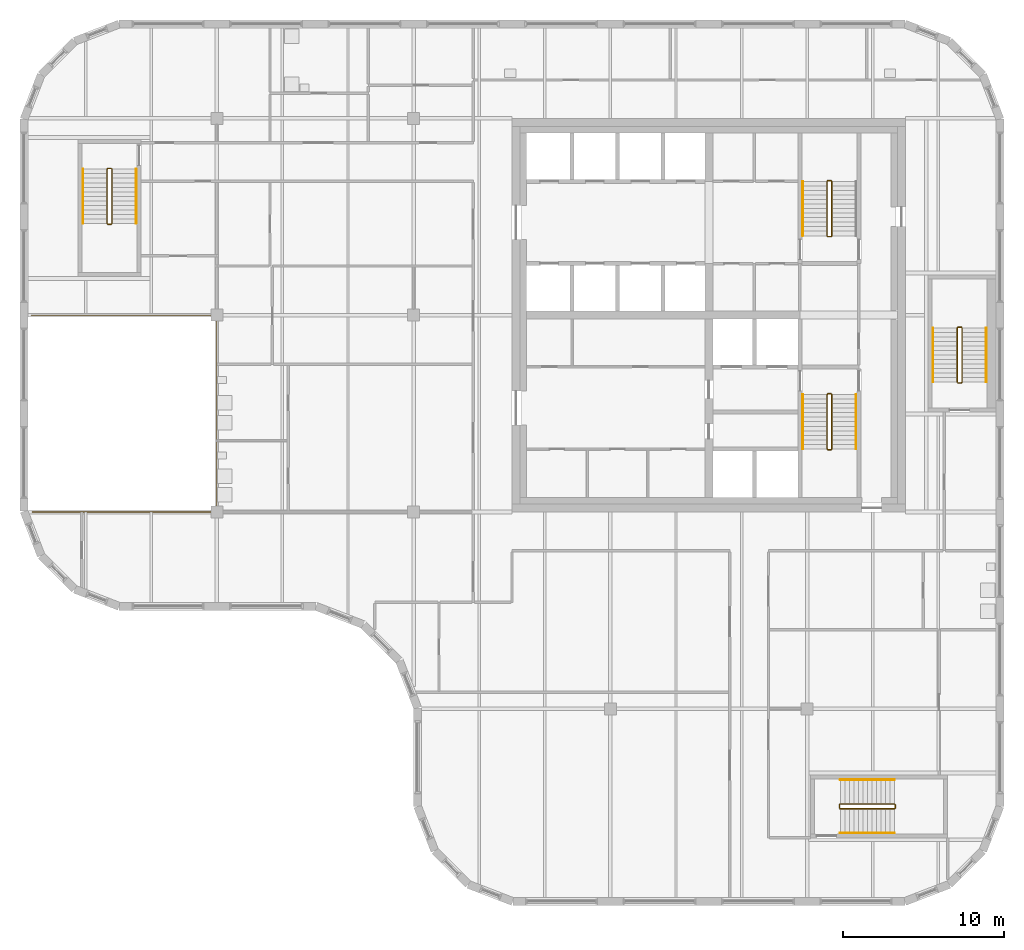
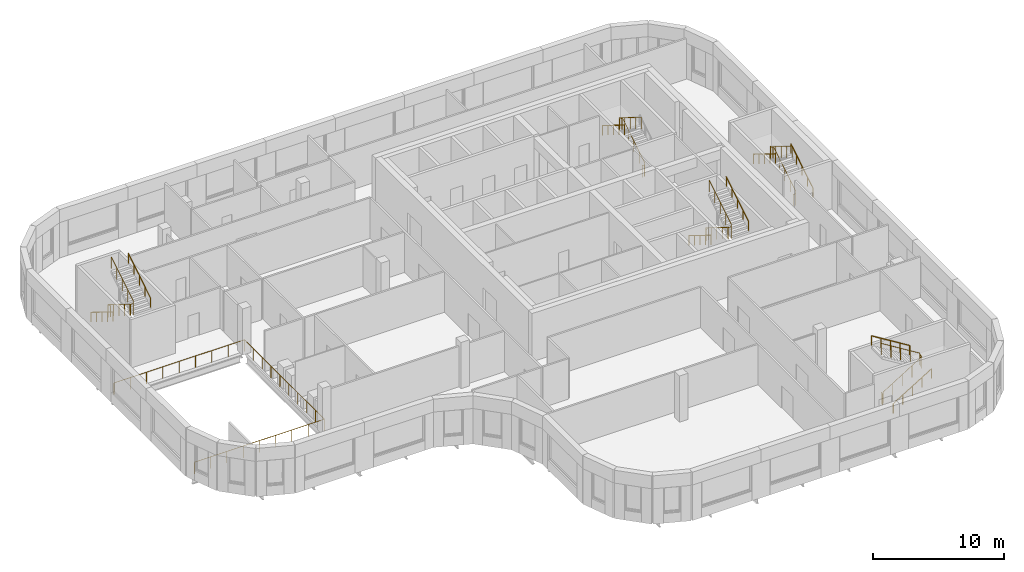
# One storey, part 19 of 21: 15 railings.
"""IFC4 building model written with IfcOpenShell, lengths in metres."""

from ifc_helpers import new_model, si_unit, direction, frame, origin, origin_2d, place, context, subcontext, project, spatial, circle, extrude, material, type_object, element, save


model = new_model("IFC4")

# Units and contexts
model_context = context("Model", 3, precision=1e-05, world=origin(), true_north=direction((0.0, 1.0)))
body_context = subcontext(model_context, "Body", "Model", "MODEL_VIEW")
ifc_project = project(units=[si_unit("LENGTHUNIT", "METRE"), si_unit("AREAUNIT", "SQUARE_METRE"), si_unit("VOLUMEUNIT", "CUBIC_METRE"), si_unit("PLANEANGLEUNIT", "RADIAN"), si_unit("MASSUNIT", "GRAM", prefix="KILO")], contexts=[model_context])

# Site, building, storey
site_placement = place(None, origin())
site = spatial("IfcSite", under=ifc_project, at=site_placement, CompositionType="ELEMENT")
building_placement = place(site_placement, origin())
building = spatial("IfcBuilding", under=site, at=building_placement, Name="Tessera Gate Towers", CompositionType="ELEMENT")
storey_placement = place(building_placement, frame((0.0, 0.0, 193.39990234375)))
storey = spatial("IfcBuildingStorey", under=building, at=storey_placement, Name="L48", CompositionType="ELEMENT", Elevation=193.39990234375)

# Railings
ifc_material_1 = material(Name="Toughened glass with stainless steel handrail", Category="steel")
railing_type_1 = type_object("IfcRailingType", Name="GUARD 1100 GLASS BALUSTRADE", PredefinedType="GUARDRAIL", material=ifc_material_1)
railing_1_placement = place(storey_placement, frame((0.750244140625, 24.39990234375, 0.0)))
element("IfcRailing", 1, at=railing_1_placement, inside=storey, type_object=railing_type_1, Name="Guard", PredefinedType="GUARDRAIL", context=body_context, shape_type="SweptSolid", body=[
    extrude(circle(Radius=0.02490234375, at=origin_2d()), frame((0.0, 0.0, 1.0751953125), z_axis=(1.0, 0.0, 0.0), x_axis=(0.0, 1.0, 0.0)), (0.0, 0.0, 1.0), 11.44970703125),
    extrude(circle(Radius=0.02490234375, at=origin_2d()), frame((11.44970703125, 0.0, 1.0751953125), z_axis=(0.0, 1.0, 0.0), x_axis=(-1.0, 0.0, 0.0)), (0.0, 0.0, 1.0), 12.2001953125),
    extrude(circle(Radius=0.02490234375, at=origin_2d()), frame((11.44970703125, 12.2001953125, 1.0751953125), z_axis=(-1.0, 0.0, 0.0), x_axis=(0.0, -1.0, 0.0)), (0.0, 0.0, 1.0), 11.5),
    extrude(circle(Radius=0.02490234375, at=origin_2d()), origin(), (0.0, 0.0, 1.0), 1.050048828125),
    extrude(circle(Radius=0.02490234375, at=origin_2d()), frame((1.43115234375, 0.0, 0.0)), (0.0, 0.0, 1.0), 1.050048828125),
    extrude(circle(Radius=0.02490234375, at=origin_2d()), frame((2.8623046875, 0.0, 0.0)), (0.0, 0.0, 1.0), 1.050048828125),
    extrude(circle(Radius=0.02490234375, at=origin_2d()), frame((4.293701171875, 0.0, 0.0)), (0.0, 0.0, 1.0), 1.050048828125),
    extrude(circle(Radius=0.02490234375, at=origin_2d()), frame((5.724853515625, 0.0, 0.0)), (0.0, 0.0, 1.0), 1.050048828125),
    extrude(circle(Radius=0.02490234375, at=origin_2d()), frame((7.156005859375, 0.0, 0.0)), (0.0, 0.0, 1.0), 1.050048828125),
    extrude(circle(Radius=0.02490234375, at=origin_2d()), frame((8.58740234375, 0.0, 0.0)), (0.0, 0.0, 1.0), 1.050048828125),
    extrude(circle(Radius=0.02490234375, at=origin_2d()), frame((10.0185546875, 0.0, 0.0)), (0.0, 0.0, 1.0), 1.050048828125),
    extrude(circle(Radius=0.02490234375, at=origin_2d()), frame((11.44970703125, 0.0, 0.0)), (0.0, 0.0, 1.0), 1.050048828125),
    extrude(circle(Radius=0.02490234375, at=origin_2d()), frame((11.44970703125, 1.35546875, 0.0)), (0.0, 0.0, 1.0), 1.050048828125),
    extrude(circle(Radius=0.02490234375, at=origin_2d()), frame((11.44970703125, 2.711181640625, 0.0)), (0.0, 0.0, 1.0), 1.050048828125),
    extrude(circle(Radius=0.02490234375, at=origin_2d()), frame((11.44970703125, 4.066650390625, 0.0)), (0.0, 0.0, 1.0), 1.050048828125),
    extrude(circle(Radius=0.02490234375, at=origin_2d()), frame((11.44970703125, 5.42236328125, 0.0)), (0.0, 0.0, 1.0), 1.050048828125),
    extrude(circle(Radius=0.02490234375, at=origin_2d()), frame((11.44970703125, 6.77783203125, 0.0)), (0.0, 0.0, 1.0), 1.050048828125),
    extrude(circle(Radius=0.02490234375, at=origin_2d()), frame((11.44970703125, 8.133544921875, 0.0)), (0.0, 0.0, 1.0), 1.050048828125),
    extrude(circle(Radius=0.02490234375, at=origin_2d()), frame((11.44970703125, 9.489013671875, 0.0)), (0.0, 0.0, 1.0), 1.050048828125),
    extrude(circle(Radius=0.02490234375, at=origin_2d()), frame((11.44970703125, 10.8447265625, 0.0)), (0.0, 0.0, 1.0), 1.050048828125),
    extrude(circle(Radius=0.02490234375, at=origin_2d()), frame((11.44970703125, 12.2001953125, 0.0)), (0.0, 0.0, 1.0), 1.050048828125),
    extrude(circle(Radius=0.02490234375, at=origin_2d()), frame((10.01220703125, 12.2001953125, 0.0)), (0.0, 0.0, 1.0), 1.050048828125),
    extrude(circle(Radius=0.02490234375, at=origin_2d()), frame((8.57470703125, 12.2001953125, 0.0)), (0.0, 0.0, 1.0), 1.050048828125),
    extrude(circle(Radius=0.02490234375, at=origin_2d()), frame((7.13720703125, 12.2001953125, 0.0)), (0.0, 0.0, 1.0), 1.050048828125),
    extrude(circle(Radius=0.02490234375, at=origin_2d()), frame((5.69970703125, 12.2001953125, 0.0)), (0.0, 0.0, 1.0), 1.050048828125),
    extrude(circle(Radius=0.02490234375, at=origin_2d()), frame((4.26220703125, 12.2001953125, 0.0)), (0.0, 0.0, 1.0), 1.050048828125),
    extrude(circle(Radius=0.02490234375, at=origin_2d()), frame((2.82470703125, 12.2001953125, 0.0)), (0.0, 0.0, 1.0), 1.050048828125),
    extrude(circle(Radius=0.02490234375, at=origin_2d()), frame((1.38720703125, 12.2001953125, 0.0)), (0.0, 0.0, 1.0), 1.050048828125),
    extrude(circle(Radius=0.02490234375, at=origin_2d()), frame((-0.05029296875, 12.2001953125, 0.0)), (0.0, 0.0, 1.0), 1.050048828125),
])
ifc_material_2 = material(Name="Steel 350W", Category="steel")
railing_type_2 = type_object("IfcRailingType", Name="STAIR GUARD 1100", PredefinedType="GUARDRAIL", material=ifc_material_2)
railing_2_placement = place(storey_placement, frame((50.27490234375, 31.72509765625, 0.0)))
element("IfcRailing", 2, at=railing_2_placement, inside=storey, type_object=railing_type_2, Name="L48 ST1 stair guard 1", PredefinedType="GUARDRAIL", context=body_context, shape_type="SweptSolid", body=[
    extrude(circle(Radius=0.02392578125, at=origin_2d()), frame((0.0, 0.0, 1.076171875), z_axis=(-1.0, 0.0, 0.0), x_axis=(0.0, -1.0, 0.0)), (0.0, 0.0, 1.0), 0.199951171875),
    extrude(circle(Radius=0.02392578125, at=origin_2d()), frame((-0.199951171875, 0.0, 1.076171875), z_axis=(-0.267629722418, -0.267629722418, 0.925607186314), x_axis=(0.707106781187, -0.707106781187, 0.0)), (0.0, 0.0, 1.0), 0.18701171875),
    extrude(circle(Radius=0.02392578125, at=origin_2d()), frame((-0.25, -0.050048828125, 1.2490234375), z_axis=(0.0, -0.850623216509, 0.525775754039), x_axis=(1.0, 0.0, 0.0)), (0.0, 0.0, 1.0), 3.9501953125),
    extrude(circle(Radius=0.02392578125, at=origin_2d()), frame((-0.25, -3.41015625, 3.326171875), z_axis=(0.707106781187, -0.707106781187, 0.0), x_axis=(0.707106781187, 0.707106781187, 0.0)), (0.0, 0.0, 1.0), 0.07080078125),
    extrude(circle(Radius=0.02392578125, at=origin_2d()), frame((-0.199951171875, -3.460205078125, 3.326171875), z_axis=(1.0, 0.0, 0.0), x_axis=(0.0, 1.0, 0.0)), (0.0, 0.0, 1.0), 0.199951171875),
    extrude(circle(Radius=0.02392578125, at=origin_2d()), frame((0.0, -3.460205078125, 3.326171875), z_axis=(0.267629722418, 0.267629722418, 0.925607186314), x_axis=(-0.707106781187, 0.707106781187, 0.0)), (0.0, 0.0, 1.0), 0.18701171875),
    extrude(circle(Radius=0.02392578125, at=origin_2d()), frame((0.050048828125, -3.41015625, 3.4990234375), z_axis=(0.0, 0.850623216509, 0.525775754039), x_axis=(-1.0, 0.0, 0.0)), (0.0, 0.0, 1.0), 3.9501953125),
    extrude(circle(Radius=0.02099609375, at=origin_2d()), origin(), (0.0, 0.0, 1.0), 1.052001953125),
    extrude(circle(Radius=0.02099609375, at=origin_2d()), frame((-0.199951171875, 0.0, 0.0)), (0.0, 0.0, 1.0), 1.052001953125),
    extrude(circle(Radius=0.02099609375, at=origin_2d()), frame((-0.25, -0.050048828125, 0.173095703125)), (0.0, 0.0, 1.0), 1.052001953125),
    extrude(circle(Radius=0.02099609375, at=origin_2d()), frame((-0.25, -0.89013671875, 0.6923828125)), (0.0, 0.0, 1.0), 1.052001953125),
    extrude(circle(Radius=0.02099609375, at=origin_2d()), frame((-0.25, -1.72998046875, 1.21142578125)), (0.0, 0.0, 1.0), 1.052001953125),
    extrude(circle(Radius=0.02099609375, at=origin_2d()), frame((-0.25, -2.570068359375, 1.730712890625)), (0.0, 0.0, 1.0), 1.052001953125),
    extrude(circle(Radius=0.02099609375, at=origin_2d()), frame((-0.25, -3.41015625, 2.25)), (0.0, 0.0, 1.0), 1.052001953125),
    extrude(circle(Radius=0.02099609375, at=origin_2d()), frame((-0.199951171875, -3.460205078125, 2.25)), (0.0, 0.0, 1.0), 1.052001953125),
    extrude(circle(Radius=0.02099609375, at=origin_2d()), frame((0.0, -3.460205078125, 2.25)), (0.0, 0.0, 1.0), 1.052001953125),
    extrude(circle(Radius=0.02099609375, at=origin_2d()), frame((0.050048828125, -3.41015625, 2.423095703125)), (0.0, 0.0, 1.0), 1.052001953125),
    extrude(circle(Radius=0.02099609375, at=origin_2d()), frame((0.050048828125, -2.570068359375, 2.9423828125)), (0.0, 0.0, 1.0), 1.052001953125),
    extrude(circle(Radius=0.02099609375, at=origin_2d()), frame((0.050048828125, -1.72998046875, 3.46142578125)), (0.0, 0.0, 1.0), 1.052001953125),
    extrude(circle(Radius=0.02099609375, at=origin_2d()), frame((0.050048828125, -0.89013671875, 3.980712890625)), (0.0, 0.0, 1.0), 1.052001953125),
    extrude(circle(Radius=0.02099609375, at=origin_2d()), frame((0.050048828125, -0.050048828125, 4.5)), (0.0, 0.0, 1.0), 1.052001953125),
])
railing_3_placement = place(storey_placement, frame((50.074951171875, 41.47509765625, 0.0)))
element("IfcRailing", 3, at=railing_3_placement, inside=storey, type_object=railing_type_2, Name="L48 ST2 stair guard 1", PredefinedType="GUARDRAIL", context=body_context, shape_type="SweptSolid", body=[
    extrude(circle(Radius=0.02392578125, at=origin_2d()), frame((0.0, 0.0, 1.076171875), z_axis=(1.0, 0.0, 0.0), x_axis=(0.0, 1.0, 0.0)), (0.0, 0.0, 1.0), 0.199951171875),
    extrude(circle(Radius=0.02392578125, at=origin_2d()), frame((0.199951171875, 0.0, 1.076171875), z_axis=(0.267723051232, 0.266417085129, 0.925929967433), x_axis=(-0.705375805398, 0.708833529934, 0.0)), (0.0, 0.0, 1.0), 0.18701171875),
    extrude(circle(Radius=0.02392578125, at=origin_2d()), frame((0.25, 0.0498046875, 1.2490234375), z_axis=(0.0, 0.850623216509, 0.525775754039), x_axis=(-1.0, 0.0, 0.0)), (0.0, 0.0, 1.0), 3.9501953125),
    extrude(circle(Radius=0.02392578125, at=origin_2d()), frame((0.25, 3.409912109375, 3.326171875), z_axis=(-0.707106781187, 0.707106781187, 0.0), x_axis=(-0.707106781187, -0.707106781187, 0.0)), (0.0, 0.0, 1.0), 0.07080078125),
    extrude(circle(Radius=0.02392578125, at=origin_2d()), frame((0.199951171875, 3.4599609375, 3.326171875), z_axis=(-1.0, 0.0, 0.0), x_axis=(0.0, -1.0, 0.0)), (0.0, 0.0, 1.0), 0.199951171875),
    extrude(circle(Radius=0.02392578125, at=origin_2d()), frame((0.0, 3.4599609375, 3.326171875), z_axis=(-0.267629722418, -0.267629722418, 0.925607186314), x_axis=(0.707106781187, -0.707106781187, 0.0)), (0.0, 0.0, 1.0), 0.18701171875),
    extrude(circle(Radius=0.02392578125, at=origin_2d()), frame((-0.050048828125, 3.409912109375, 3.4990234375), z_axis=(0.0, -0.850623216509, 0.525775754039), x_axis=(1.0, 0.0, 0.0)), (0.0, 0.0, 1.0), 3.9501953125),
    extrude(circle(Radius=0.02099609375, at=origin_2d()), origin(), (0.0, 0.0, 1.0), 1.052001953125),
    extrude(circle(Radius=0.02099609375, at=origin_2d()), frame((0.199951171875, 0.0, 0.0)), (0.0, 0.0, 1.0), 1.052001953125),
    extrude(circle(Radius=0.02099609375, at=origin_2d()), frame((0.25, 0.0498046875, 0.173095703125)), (0.0, 0.0, 1.0), 1.052001953125),
    extrude(circle(Radius=0.02099609375, at=origin_2d()), frame((0.25, 0.889892578125, 0.6923828125)), (0.0, 0.0, 1.0), 1.052001953125),
    extrude(circle(Radius=0.02099609375, at=origin_2d()), frame((0.25, 1.72998046875, 1.21142578125)), (0.0, 0.0, 1.0), 1.052001953125),
    extrude(circle(Radius=0.02099609375, at=origin_2d()), frame((0.25, 2.56982421875, 1.730712890625)), (0.0, 0.0, 1.0), 1.052001953125),
    extrude(circle(Radius=0.02099609375, at=origin_2d()), frame((0.25, 3.409912109375, 2.25)), (0.0, 0.0, 1.0), 1.052001953125),
    extrude(circle(Radius=0.02099609375, at=origin_2d()), frame((0.199951171875, 3.4599609375, 2.25)), (0.0, 0.0, 1.0), 1.052001953125),
    extrude(circle(Radius=0.02099609375, at=origin_2d()), frame((0.0, 3.4599609375, 2.25)), (0.0, 0.0, 1.0), 1.052001953125),
    extrude(circle(Radius=0.02099609375, at=origin_2d()), frame((-0.050048828125, 3.409912109375, 2.423095703125)), (0.0, 0.0, 1.0), 1.052001953125),
    extrude(circle(Radius=0.02099609375, at=origin_2d()), frame((-0.050048828125, 2.56982421875, 2.9423828125)), (0.0, 0.0, 1.0), 1.052001953125),
    extrude(circle(Radius=0.02099609375, at=origin_2d()), frame((-0.050048828125, 1.72998046875, 3.46142578125)), (0.0, 0.0, 1.0), 1.052001953125),
    extrude(circle(Radius=0.02099609375, at=origin_2d()), frame((-0.050048828125, 0.889892578125, 3.980712890625)), (0.0, 0.0, 1.0), 1.052001953125),
    extrude(circle(Radius=0.02099609375, at=origin_2d()), frame((-0.050048828125, 0.0498046875, 4.5)), (0.0, 0.0, 1.0), 1.052001953125),
])
railing_4_placement = place(storey_placement, frame((5.64990234375, 45.699951171875, 0.0)))
element("IfcRailing", 4, at=railing_4_placement, inside=storey, type_object=railing_type_2, Name="L48 ST3 stair guard 1", PredefinedType="GUARDRAIL", context=body_context, shape_type="SweptSolid", body=[
    extrude(circle(Radius=0.02392578125, at=origin_2d()), frame((0.0, 0.0, 1.076171875), z_axis=(-1.0, 0.0, 0.0), x_axis=(0.0, -1.0, 0.0)), (0.0, 0.0, 1.0), 0.199951171875),
    extrude(circle(Radius=0.02392578125, at=origin_2d()), frame((-0.199951171875, 0.0, 1.076171875), z_axis=(-0.267629722418, -0.267629722418, 0.925607186314), x_axis=(0.707106781187, -0.707106781187, 0.0)), (0.0, 0.0, 1.0), 0.18701171875),
    extrude(circle(Radius=0.02392578125, at=origin_2d()), frame((-0.25, -0.050048828125, 1.2490234375), z_axis=(0.0, -0.850606129759, 0.525803396734), x_axis=(1.0, 0.0, 0.0)), (0.0, 0.0, 1.0), 3.949951171875),
    extrude(circle(Radius=0.02392578125, at=origin_2d()), frame((-0.25, -3.409912109375, 3.326171875), z_axis=(0.707106781187, -0.707106781187, 0.0), x_axis=(0.707106781187, 0.707106781187, 0.0)), (0.0, 0.0, 1.0), 0.07080078125),
    extrude(circle(Radius=0.02392578125, at=origin_2d()), frame((-0.199951171875, -3.4599609375, 3.326171875), z_axis=(1.0, 0.0, 0.0), x_axis=(0.0, 1.0, 0.0)), (0.0, 0.0, 1.0), 0.199951171875),
    extrude(circle(Radius=0.02392578125, at=origin_2d()), frame((0.0, -3.4599609375, 3.326171875), z_axis=(0.267629722418, 0.267629722418, 0.925607186314), x_axis=(-0.707106781187, 0.707106781187, 0.0)), (0.0, 0.0, 1.0), 0.18701171875),
    extrude(circle(Radius=0.02392578125, at=origin_2d()), frame((0.050048828125, -3.409912109375, 3.4990234375), z_axis=(0.0, 0.850606129759, 0.525803396734), x_axis=(-1.0, 0.0, 0.0)), (0.0, 0.0, 1.0), 3.949951171875),
    extrude(circle(Radius=0.02099609375, at=origin_2d()), origin(), (0.0, 0.0, 1.0), 1.052001953125),
    extrude(circle(Radius=0.02099609375, at=origin_2d()), frame((-0.199951171875, 0.0, 0.0)), (0.0, 0.0, 1.0), 1.052001953125),
    extrude(circle(Radius=0.02099609375, at=origin_2d()), frame((-0.25, -0.050048828125, 0.173095703125)), (0.0, 0.0, 1.0), 1.052001953125),
    extrude(circle(Radius=0.02099609375, at=origin_2d()), frame((-0.25, -0.89013671875, 0.6923828125)), (0.0, 0.0, 1.0), 1.052001953125),
    extrude(circle(Radius=0.02099609375, at=origin_2d()), frame((-0.25, -1.72998046875, 1.21142578125)), (0.0, 0.0, 1.0), 1.052001953125),
    extrude(circle(Radius=0.02099609375, at=origin_2d()), frame((-0.25, -2.56982421875, 1.730712890625)), (0.0, 0.0, 1.0), 1.052001953125),
    extrude(circle(Radius=0.02099609375, at=origin_2d()), frame((-0.25, -3.409912109375, 2.25)), (0.0, 0.0, 1.0), 1.052001953125),
    extrude(circle(Radius=0.02099609375, at=origin_2d()), frame((-0.199951171875, -3.4599609375, 2.25)), (0.0, 0.0, 1.0), 1.052001953125),
    extrude(circle(Radius=0.02099609375, at=origin_2d()), frame((0.0, -3.4599609375, 2.25)), (0.0, 0.0, 1.0), 1.052001953125),
    extrude(circle(Radius=0.02099609375, at=origin_2d()), frame((0.050048828125, -3.409912109375, 2.423095703125)), (0.0, 0.0, 1.0), 1.052001953125),
    extrude(circle(Radius=0.02099609375, at=origin_2d()), frame((0.050048828125, -2.56982421875, 2.9423828125)), (0.0, 0.0, 1.0), 1.052001953125),
    extrude(circle(Radius=0.02099609375, at=origin_2d()), frame((0.050048828125, -1.72998046875, 3.46142578125)), (0.0, 0.0, 1.0), 1.052001953125),
    extrude(circle(Radius=0.02099609375, at=origin_2d()), frame((0.050048828125, -0.89013671875, 3.980712890625)), (0.0, 0.0, 1.0), 1.052001953125),
    extrude(circle(Radius=0.02099609375, at=origin_2d()), frame((0.050048828125, -0.050048828125, 4.5)), (0.0, 0.0, 1.0), 1.052001953125),
])
railing_5_placement = place(storey_placement, frame((50.800048828125, 6.25, 0.0)))
element("IfcRailing", 5, at=railing_5_placement, inside=storey, type_object=railing_type_2, Name="L48 ST4 stair guard 1", PredefinedType="GUARDRAIL", context=body_context, shape_type="SweptSolid", body=[
    extrude(circle(Radius=0.02392578125, at=origin_2d()), frame((0.0, 0.0, 1.076171875), z_axis=(0.0, -1.0, 0.0), x_axis=(1.0, 0.0, 0.0)), (0.0, 0.0, 1.0), 0.199951171875),
    extrude(circle(Radius=0.02392578125, at=origin_2d()), frame((0.0, -0.199951171875, 1.076171875), z_axis=(0.267629722418, -0.267629722418, 0.925607186314), x_axis=(0.707106781187, 0.707106781187, 0.0)), (0.0, 0.0, 1.0), 0.18701171875),
    extrude(circle(Radius=0.02392578125, at=origin_2d()), frame((0.050048828125, -0.25, 1.2490234375), z_axis=(0.850606129759, 0.0, 0.525803396734), x_axis=(0.0, 1.0, 0.0)), (0.0, 0.0, 1.0), 3.949951171875),
    extrude(circle(Radius=0.02392578125, at=origin_2d()), frame((3.409912109375, -0.25, 3.326171875), z_axis=(0.707106781187, 0.707106781187, 0.0), x_axis=(-0.707106781187, 0.707106781187, 0.0)), (0.0, 0.0, 1.0), 0.07080078125),
    extrude(circle(Radius=0.02392578125, at=origin_2d()), frame((3.4599609375, -0.199951171875, 3.326171875), z_axis=(0.0, 1.0, 0.0), x_axis=(-1.0, 0.0, 0.0)), (0.0, 0.0, 1.0), 0.199951171875),
    extrude(circle(Radius=0.02392578125, at=origin_2d()), frame((3.4599609375, 0.0, 3.326171875), z_axis=(-0.267629722418, 0.267629722418, 0.925607186314), x_axis=(-0.707106781187, -0.707106781187, 0.0)), (0.0, 0.0, 1.0), 0.18701171875),
    extrude(circle(Radius=0.02392578125, at=origin_2d()), frame((3.409912109375, 0.050048828125, 3.4990234375), z_axis=(-0.850606129759, 0.0, 0.525803396734), x_axis=(0.0, -1.0, 0.0)), (0.0, 0.0, 1.0), 3.949951171875),
    extrude(circle(Radius=0.02099609375, at=origin_2d()), origin(), (0.0, 0.0, 1.0), 1.052001953125),
    extrude(circle(Radius=0.02099609375, at=origin_2d()), frame((0.0, -0.199951171875, 0.0)), (0.0, 0.0, 1.0), 1.052001953125),
    extrude(circle(Radius=0.02099609375, at=origin_2d()), frame((0.050048828125, -0.25, 0.173095703125)), (0.0, 0.0, 1.0), 1.052001953125),
    extrude(circle(Radius=0.02099609375, at=origin_2d()), frame((0.89013671875, -0.25, 0.6923828125)), (0.0, 0.0, 1.0), 1.052001953125),
    extrude(circle(Radius=0.02099609375, at=origin_2d()), frame((1.72998046875, -0.25, 1.21142578125)), (0.0, 0.0, 1.0), 1.052001953125),
    extrude(circle(Radius=0.02099609375, at=origin_2d()), frame((2.56982421875, -0.25, 1.730712890625)), (0.0, 0.0, 1.0), 1.052001953125),
    extrude(circle(Radius=0.02099609375, at=origin_2d()), frame((3.409912109375, -0.25, 2.25)), (0.0, 0.0, 1.0), 1.052001953125),
    extrude(circle(Radius=0.02099609375, at=origin_2d()), frame((3.4599609375, -0.199951171875, 2.25)), (0.0, 0.0, 1.0), 1.052001953125),
    extrude(circle(Radius=0.02099609375, at=origin_2d()), frame((3.4599609375, 0.0, 2.25)), (0.0, 0.0, 1.0), 1.052001953125),
    extrude(circle(Radius=0.02099609375, at=origin_2d()), frame((3.409912109375, 0.050048828125, 2.423095703125)), (0.0, 0.0, 1.0), 1.052001953125),
    extrude(circle(Radius=0.02099609375, at=origin_2d()), frame((2.56982421875, 0.050048828125, 2.9423828125)), (0.0, 0.0, 1.0), 1.052001953125),
    extrude(circle(Radius=0.02099609375, at=origin_2d()), frame((1.72998046875, 0.050048828125, 3.46142578125)), (0.0, 0.0, 1.0), 1.052001953125),
    extrude(circle(Radius=0.02099609375, at=origin_2d()), frame((0.89013671875, 0.050048828125, 3.980712890625)), (0.0, 0.0, 1.0), 1.052001953125),
    extrude(circle(Radius=0.02099609375, at=origin_2d()), frame((0.050048828125, 0.050048828125, 4.5)), (0.0, 0.0, 1.0), 1.052001953125),
])
railing_6_placement = place(storey_placement, frame((58.14990234375, 32.39990234375, 0.0)))
element("IfcRailing", 6, at=railing_6_placement, inside=storey, type_object=railing_type_2, Name="L48 ST5 stair guard 1", PredefinedType="GUARDRAIL", context=body_context, shape_type="SweptSolid", body=[
    extrude(circle(Radius=0.02392578125, at=origin_2d()), frame((0.0, 0.0, 1.076171875), z_axis=(1.0, 0.0, 0.0), x_axis=(0.0, 1.0, 0.0)), (0.0, 0.0, 1.0), 0.2001953125),
    extrude(circle(Radius=0.02392578125, at=origin_2d()), frame((0.2001953125, 0.0, 1.076171875), z_axis=(0.266417085129, 0.267723051232, 0.925929967433), x_axis=(-0.708833529934, 0.705375805398, 0.0)), (0.0, 0.0, 1.0), 0.18701171875),
    extrude(circle(Radius=0.02392578125, at=origin_2d()), frame((0.25, 0.050048828125, 1.2490234375), z_axis=(0.0, 0.850623216509, 0.525775754039), x_axis=(-1.0, 0.0, 0.0)), (0.0, 0.0, 1.0), 3.9501953125),
    extrude(circle(Radius=0.02392578125, at=origin_2d()), frame((0.25, 3.41015625, 3.326171875), z_axis=(-0.705375805398, 0.708833529934, 0.0), x_axis=(-0.708833529934, -0.705375805398, 0.0)), (0.0, 0.0, 1.0), 0.070556640625),
    extrude(circle(Radius=0.02392578125, at=origin_2d()), frame((0.2001953125, 3.460205078125, 3.326171875), z_axis=(-1.0, 0.0, 0.0), x_axis=(0.0, -1.0, 0.0)), (0.0, 0.0, 1.0), 0.2001953125),
    extrude(circle(Radius=0.02392578125, at=origin_2d()), frame((0.0, 3.460205078125, 3.326171875), z_axis=(-0.266417085129, -0.267723051232, 0.925929967433), x_axis=(0.708833529934, -0.705375805398, 0.0)), (0.0, 0.0, 1.0), 0.18701171875),
    extrude(circle(Radius=0.02392578125, at=origin_2d()), frame((-0.0498046875, 3.41015625, 3.4990234375), z_axis=(0.0, -0.850623216509, 0.525775754039), x_axis=(1.0, 0.0, 0.0)), (0.0, 0.0, 1.0), 3.9501953125),
    extrude(circle(Radius=0.02099609375, at=origin_2d()), origin(), (0.0, 0.0, 1.0), 1.052001953125),
    extrude(circle(Radius=0.02099609375, at=origin_2d()), frame((0.2001953125, 0.0, 0.0)), (0.0, 0.0, 1.0), 1.052001953125),
    extrude(circle(Radius=0.02099609375, at=origin_2d()), frame((0.25, 0.050048828125, 0.173095703125)), (0.0, 0.0, 1.0), 1.052001953125),
    extrude(circle(Radius=0.02099609375, at=origin_2d()), frame((0.25, 0.89013671875, 0.6923828125)), (0.0, 0.0, 1.0), 1.052001953125),
    extrude(circle(Radius=0.02099609375, at=origin_2d()), frame((0.25, 1.72998046875, 1.21142578125)), (0.0, 0.0, 1.0), 1.052001953125),
    extrude(circle(Radius=0.02099609375, at=origin_2d()), frame((0.25, 2.570068359375, 1.730712890625)), (0.0, 0.0, 1.0), 1.052001953125),
    extrude(circle(Radius=0.02099609375, at=origin_2d()), frame((0.25, 3.41015625, 2.25)), (0.0, 0.0, 1.0), 1.052001953125),
    extrude(circle(Radius=0.02099609375, at=origin_2d()), frame((0.2001953125, 3.460205078125, 2.25)), (0.0, 0.0, 1.0), 1.052001953125),
    extrude(circle(Radius=0.02099609375, at=origin_2d()), frame((0.0, 3.460205078125, 2.25)), (0.0, 0.0, 1.0), 1.052001953125),
    extrude(circle(Radius=0.02099609375, at=origin_2d()), frame((-0.0498046875, 3.41015625, 2.423095703125)), (0.0, 0.0, 1.0), 1.052001953125),
    extrude(circle(Radius=0.02099609375, at=origin_2d()), frame((-0.0498046875, 2.570068359375, 2.9423828125)), (0.0, 0.0, 1.0), 1.052001953125),
    extrude(circle(Radius=0.02099609375, at=origin_2d()), frame((-0.0498046875, 1.72998046875, 3.46142578125)), (0.0, 0.0, 1.0), 1.052001953125),
    extrude(circle(Radius=0.02099609375, at=origin_2d()), frame((-0.0498046875, 0.89013671875, 3.980712890625)), (0.0, 0.0, 1.0), 1.052001953125),
    extrude(circle(Radius=0.02099609375, at=origin_2d()), frame((-0.0498046875, 0.050048828125, 4.5)), (0.0, 0.0, 1.0), 1.052001953125),
])
ifc_material_3 = material(Name="Steel 350W", Category="steel")
railing_type_3 = type_object("IfcRailingType", Name="STAIR HANDRAIL 900", PredefinedType="HANDRAIL", material=ifc_material_3)
railing_7_placement = place(storey_placement, frame((48.52490234375, 31.675048828125, 0.173095703125)))
element("IfcRailing", 7, at=railing_7_placement, inside=storey, type_object=railing_type_3, Name="L48 ST1 stair handrail 1", PredefinedType="HANDRAIL", context=body_context, shape_type="SweptSolid", body=[
    extrude(circle(Radius=0.02392578125, at=origin_2d()), frame((0.0, 0.0, 0.8759765625), z_axis=(0.0, -0.850623216509, 0.525775754039), x_axis=(1.0, 0.0, 0.0)), (0.0, 0.0, 1.0), 3.9501953125),
    extrude(circle(Radius=0.02099609375, at=origin_2d()), origin(), (0.0, 0.0, 1.0), 0.851806640625),
    extrude(circle(Radius=0.02099609375, at=origin_2d()), frame((0.0, -0.840087890625, 0.519287109375)), (0.0, 0.0, 1.0), 0.851806640625),
    extrude(circle(Radius=0.02099609375, at=origin_2d()), frame((0.0, -1.68017578125, 1.03857421875)), (0.0, 0.0, 1.0), 0.851806640625),
    extrude(circle(Radius=0.02099609375, at=origin_2d()), frame((0.0, -2.52001953125, 1.5576171875)), (0.0, 0.0, 1.0), 0.851806640625),
    extrude(circle(Radius=0.02099609375, at=origin_2d()), frame((0.0, -3.360107421875, 2.076904296875)), (0.0, 0.0, 1.0), 0.851806640625),
])
railing_8_placement = place(storey_placement, frame((51.824951171875, 28.31494140625, 2.423095703125)))
element("IfcRailing", 8, at=railing_8_placement, inside=storey, type_object=railing_type_3, Name="L48 ST1 stair handrail 2", PredefinedType="HANDRAIL", context=body_context, shape_type="SweptSolid", body=[
    extrude(circle(Radius=0.02392578125, at=origin_2d()), frame((0.0, 0.0, 0.8759765625), z_axis=(0.0, 0.850623216509, 0.525775754039), x_axis=(-1.0, 0.0, 0.0)), (0.0, 0.0, 1.0), 3.9501953125),
    extrude(circle(Radius=0.02099609375, at=origin_2d()), origin(), (0.0, 0.0, 1.0), 0.851806640625),
    extrude(circle(Radius=0.02099609375, at=origin_2d()), frame((0.0, 0.840087890625, 0.519287109375)), (0.0, 0.0, 1.0), 0.851806640625),
    extrude(circle(Radius=0.02099609375, at=origin_2d()), frame((0.0, 1.68017578125, 1.03857421875)), (0.0, 0.0, 1.0), 0.851806640625),
    extrude(circle(Radius=0.02099609375, at=origin_2d()), frame((0.0, 2.52001953125, 1.5576171875)), (0.0, 0.0, 1.0), 0.851806640625),
    extrude(circle(Radius=0.02099609375, at=origin_2d()), frame((0.0, 3.360107421875, 2.076904296875)), (0.0, 0.0, 1.0), 0.851806640625),
])
railing_9_placement = place(storey_placement, frame((48.52490234375, 44.885009765625, 2.423095703125)))
element("IfcRailing", 9, at=railing_9_placement, inside=storey, type_object=railing_type_3, Name="L48 ST2 stair handrail 2", PredefinedType="HANDRAIL", context=body_context, shape_type="SweptSolid", body=[
    extrude(circle(Radius=0.02392578125, at=origin_2d()), frame((0.0, 0.0, 0.8759765625), z_axis=(0.0, -0.850623216509, 0.525775754039), x_axis=(1.0, 0.0, 0.0)), (0.0, 0.0, 1.0), 3.9501953125),
    extrude(circle(Radius=0.02099609375, at=origin_2d()), origin(), (0.0, 0.0, 1.0), 0.851806640625),
    extrude(circle(Radius=0.02099609375, at=origin_2d()), frame((0.0, -0.840087890625, 0.519287109375)), (0.0, 0.0, 1.0), 0.851806640625),
    extrude(circle(Radius=0.02099609375, at=origin_2d()), frame((0.0, -1.68017578125, 1.03857421875)), (0.0, 0.0, 1.0), 0.851806640625),
    extrude(circle(Radius=0.02099609375, at=origin_2d()), frame((0.0, -2.52001953125, 1.5576171875)), (0.0, 0.0, 1.0), 0.851806640625),
    extrude(circle(Radius=0.02099609375, at=origin_2d()), frame((0.0, -3.360107421875, 2.076904296875)), (0.0, 0.0, 1.0), 0.851806640625),
])
railing_10_placement = place(storey_placement, frame((3.89990234375, 45.64990234375, 0.173095703125)))
element("IfcRailing", 10, at=railing_10_placement, inside=storey, type_object=railing_type_3, Name="L48 ST3 stair handrail 1", PredefinedType="HANDRAIL", context=body_context, shape_type="SweptSolid", body=[
    extrude(circle(Radius=0.02392578125, at=origin_2d()), frame((0.0, 0.0, 0.8759765625), z_axis=(0.0, -0.850606129759, 0.525803396734), x_axis=(1.0, 0.0, 0.0)), (0.0, 0.0, 1.0), 3.949951171875),
    extrude(circle(Radius=0.02099609375, at=origin_2d()), origin(), (0.0, 0.0, 1.0), 0.851806640625),
    extrude(circle(Radius=0.02099609375, at=origin_2d()), frame((0.0, -0.83984375, 0.519287109375)), (0.0, 0.0, 1.0), 0.851806640625),
    extrude(circle(Radius=0.02099609375, at=origin_2d()), frame((0.0, -1.679931640625, 1.03857421875)), (0.0, 0.0, 1.0), 0.851806640625),
    extrude(circle(Radius=0.02099609375, at=origin_2d()), frame((0.0, -2.52001953125, 1.5576171875)), (0.0, 0.0, 1.0), 0.851806640625),
    extrude(circle(Radius=0.02099609375, at=origin_2d()), frame((0.0, -3.35986328125, 2.076904296875)), (0.0, 0.0, 1.0), 0.851806640625),
])
railing_11_placement = place(storey_placement, frame((7.199951171875, 42.2900390625, 2.423095703125)))
element("IfcRailing", 11, at=railing_11_placement, inside=storey, type_object=railing_type_3, Name="L48 ST3 stair handrail 2", PredefinedType="HANDRAIL", context=body_context, shape_type="SweptSolid", body=[
    extrude(circle(Radius=0.02392578125, at=origin_2d()), frame((0.0, 0.0, 0.8759765625), z_axis=(0.0, 0.850606129759, 0.525803396734), x_axis=(-1.0, 0.0, 0.0)), (0.0, 0.0, 1.0), 3.949951171875),
    extrude(circle(Radius=0.02099609375, at=origin_2d()), origin(), (0.0, 0.0, 1.0), 0.851806640625),
    extrude(circle(Radius=0.02099609375, at=origin_2d()), frame((0.0, 0.83984375, 0.519287109375)), (0.0, 0.0, 1.0), 0.851806640625),
    extrude(circle(Radius=0.02099609375, at=origin_2d()), frame((0.0, 1.679931640625, 1.03857421875)), (0.0, 0.0, 1.0), 0.851806640625),
    extrude(circle(Radius=0.02099609375, at=origin_2d()), frame((0.0, 2.52001953125, 1.5576171875)), (0.0, 0.0, 1.0), 0.851806640625),
    extrude(circle(Radius=0.02099609375, at=origin_2d()), frame((0.0, 3.35986328125, 2.076904296875)), (0.0, 0.0, 1.0), 0.851806640625),
])
railing_12_placement = place(storey_placement, frame((50.85009765625, 4.5, 0.173095703125)))
element("IfcRailing", 12, at=railing_12_placement, inside=storey, type_object=railing_type_3, Name="L48 ST4 stair handrail 1", PredefinedType="HANDRAIL", context=body_context, shape_type="SweptSolid", body=[
    extrude(circle(Radius=0.02392578125, at=origin_2d()), frame((0.0, 0.0, 0.8759765625), z_axis=(0.850606129759, 0.0, 0.525803396734), x_axis=(0.0, 1.0, 0.0)), (0.0, 0.0, 1.0), 3.949951171875),
    extrude(circle(Radius=0.02099609375, at=origin_2d()), origin(), (0.0, 0.0, 1.0), 0.851806640625),
    extrude(circle(Radius=0.02099609375, at=origin_2d()), frame((0.83984375, 0.0, 0.519287109375)), (0.0, 0.0, 1.0), 0.851806640625),
    extrude(circle(Radius=0.02099609375, at=origin_2d()), frame((1.679931640625, 0.0, 1.03857421875)), (0.0, 0.0, 1.0), 0.851806640625),
    extrude(circle(Radius=0.02099609375, at=origin_2d()), frame((2.52001953125, 0.0, 1.5576171875)), (0.0, 0.0, 1.0), 0.851806640625),
    extrude(circle(Radius=0.02099609375, at=origin_2d()), frame((3.35986328125, 0.0, 2.076904296875)), (0.0, 0.0, 1.0), 0.851806640625),
])
railing_13_placement = place(storey_placement, frame((54.2099609375, 7.800048828125, 2.423095703125)))
element("IfcRailing", 13, at=railing_13_placement, inside=storey, type_object=railing_type_3, Name="L48 ST4 stair handrail 2", PredefinedType="HANDRAIL", context=body_context, shape_type="SweptSolid", body=[
    extrude(circle(Radius=0.02392578125, at=origin_2d()), frame((0.0, 0.0, 0.8759765625), z_axis=(-0.850606129759, 0.0, 0.525803396734), x_axis=(0.0, -1.0, 0.0)), (0.0, 0.0, 1.0), 3.949951171875),
    extrude(circle(Radius=0.02099609375, at=origin_2d()), origin(), (0.0, 0.0, 1.0), 0.851806640625),
    extrude(circle(Radius=0.02099609375, at=origin_2d()), frame((-0.83984375, 0.0, 0.519287109375)), (0.0, 0.0, 1.0), 0.851806640625),
    extrude(circle(Radius=0.02099609375, at=origin_2d()), frame((-1.679931640625, 0.0, 1.03857421875)), (0.0, 0.0, 1.0), 0.851806640625),
    extrude(circle(Radius=0.02099609375, at=origin_2d()), frame((-2.52001953125, 0.0, 1.5576171875)), (0.0, 0.0, 1.0), 0.851806640625),
    extrude(circle(Radius=0.02099609375, at=origin_2d()), frame((-3.35986328125, 0.0, 2.076904296875)), (0.0, 0.0, 1.0), 0.851806640625),
])
railing_14_placement = place(storey_placement, frame((59.89990234375, 32.449951171875, 0.173095703125)))
element("IfcRailing", 14, at=railing_14_placement, inside=storey, type_object=railing_type_3, Name="L48 ST5 stair handrail 1", PredefinedType="HANDRAIL", context=body_context, shape_type="SweptSolid", body=[
    extrude(circle(Radius=0.02392578125, at=origin_2d()), frame((0.0, 0.0, 0.8759765625), z_axis=(0.0, 0.850623216509, 0.525775754039), x_axis=(-1.0, 0.0, 0.0)), (0.0, 0.0, 1.0), 3.9501953125),
    extrude(circle(Radius=0.02099609375, at=origin_2d()), origin(), (0.0, 0.0, 1.0), 0.851806640625),
    extrude(circle(Radius=0.02099609375, at=origin_2d()), frame((0.0, 0.840087890625, 0.519287109375)), (0.0, 0.0, 1.0), 0.851806640625),
    extrude(circle(Radius=0.02099609375, at=origin_2d()), frame((0.0, 1.68017578125, 1.03857421875)), (0.0, 0.0, 1.0), 0.851806640625),
    extrude(circle(Radius=0.02099609375, at=origin_2d()), frame((0.0, 2.52001953125, 1.5576171875)), (0.0, 0.0, 1.0), 0.851806640625),
    extrude(circle(Radius=0.02099609375, at=origin_2d()), frame((0.0, 3.360107421875, 2.076904296875)), (0.0, 0.0, 1.0), 0.851806640625),
])
railing_15_placement = place(storey_placement, frame((56.60009765625, 35.81005859375, 2.423095703125)))
element("IfcRailing", 15, at=railing_15_placement, inside=storey, type_object=railing_type_3, Name="L48 ST5 stair handrail 2", PredefinedType="HANDRAIL", context=body_context, shape_type="SweptSolid", body=[
    extrude(circle(Radius=0.02392578125, at=origin_2d()), frame((0.0, 0.0, 0.8759765625), z_axis=(0.0, -0.850623216509, 0.525775754039), x_axis=(1.0, 0.0, 0.0)), (0.0, 0.0, 1.0), 3.9501953125),
    extrude(circle(Radius=0.02099609375, at=origin_2d()), origin(), (0.0, 0.0, 1.0), 0.851806640625),
    extrude(circle(Radius=0.02099609375, at=origin_2d()), frame((0.0, -0.840087890625, 0.519287109375)), (0.0, 0.0, 1.0), 0.851806640625),
    extrude(circle(Radius=0.02099609375, at=origin_2d()), frame((0.0, -1.68017578125, 1.03857421875)), (0.0, 0.0, 1.0), 0.851806640625),
    extrude(circle(Radius=0.02099609375, at=origin_2d()), frame((0.0, -2.52001953125, 1.5576171875)), (0.0, 0.0, 1.0), 0.851806640625),
    extrude(circle(Radius=0.02099609375, at=origin_2d()), frame((0.0, -3.360107421875, 2.076904296875)), (0.0, 0.0, 1.0), 0.851806640625),
])

save(model, "model.ifc")
